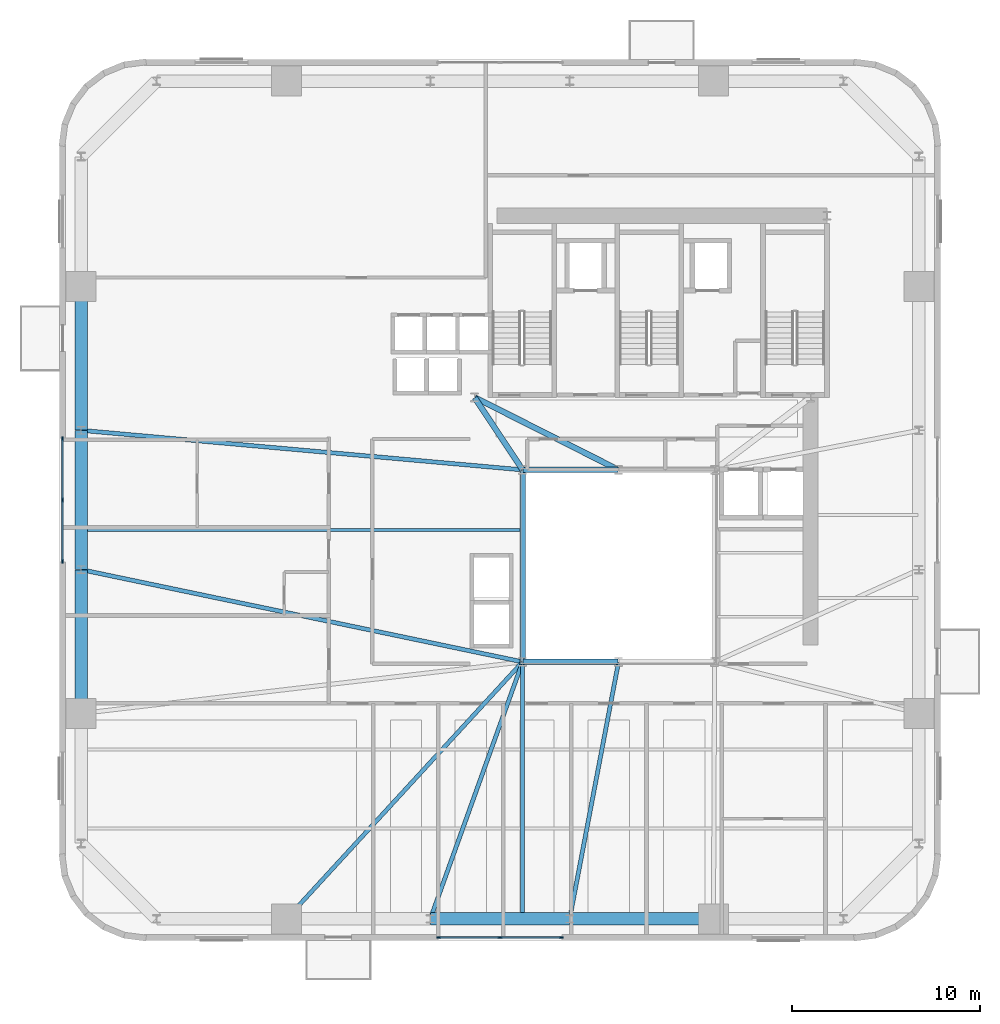
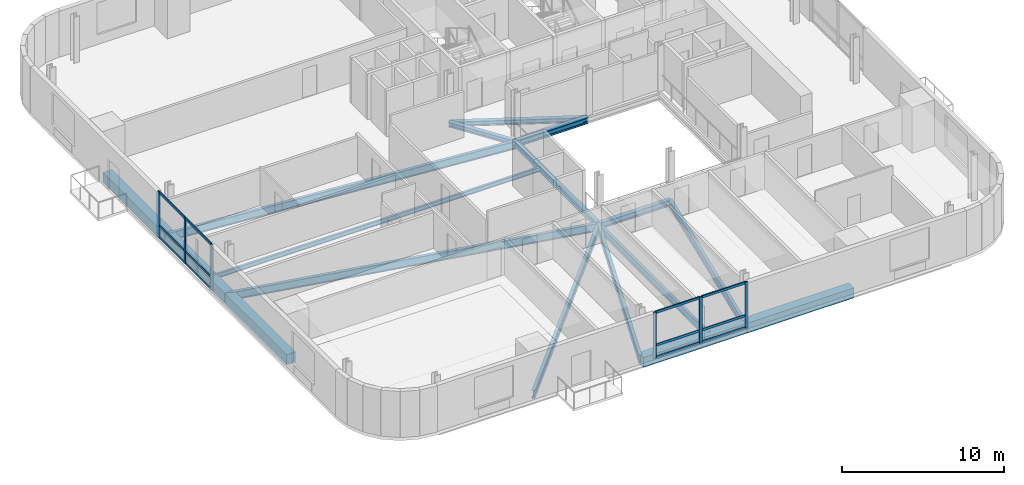
# One storey, part 2 of 14: 18 members, 17 beams, 2 elements without a shape of their own.
"""IFC4 building model written with IfcOpenShell, lengths in metres."""

from ifc_helpers import new_model, si_unit, direction, frame, origin, origin_2d, place, context, subcontext, project, spatial, rectangle, i_section, extrude, source, transform, mapped, material, material_profile, profile_set, type_object, element, aggregate, save


model = new_model("IFC4")

# Units and contexts
model_context = context("Model", 3, precision=1e-05, world=origin(), true_north=direction((0.0, 1.0)))
body_context = subcontext(model_context, "Body", "Model", "MODEL_VIEW")
ifc_project = project(units=[si_unit("LENGTHUNIT", "METRE"), si_unit("AREAUNIT", "SQUARE_METRE"), si_unit("VOLUMEUNIT", "CUBIC_METRE"), si_unit("PLANEANGLEUNIT", "RADIAN"), si_unit("MASSUNIT", "GRAM", prefix="KILO")], contexts=[model_context])

# Site, building, storey
site_placement = place(None, origin())
site = spatial("IfcSite", under=ifc_project, at=site_placement, CompositionType="ELEMENT")
building_placement = place(site_placement, origin())
building = spatial("IfcBuilding", under=site, at=building_placement, Name="Vardaveli Station Tower", CompositionType="ELEMENT")
storey_placement = place(building_placement, frame((0.0, 0.0, 140.89990234375)))
storey = spatial("IfcBuildingStorey", under=building, at=storey_placement, Name="L36", CompositionType="ELEMENT", Elevation=140.89990234375)

# Beams
ifc_material_1 = material(Name="Structural steel S355J2", Category="steel")
ifc_material_profile_1 = material_profile(ifc_material_1, i_section(OverallWidth=0.300048828125, OverallDepth=0.449951171875, WebThickness=0.013916015625, FlangeThickness=0.02587890625, FilletRadius=0.027099609375, at=origin_2d()), Name="HEB 450")
ifc_profile_set_1 = profile_set([ifc_material_profile_1], Name="Structural steel S355J2")
beam_type_1 = type_object("IfcBeamType", Name="BM-HEB450", PredefinedType="BEAM", material=ifc_profile_set_1)
shared_shape_1 = source(origin(), body_context, "Body", "SweptSolid", [
    extrude(i_section(OverallWidth=0.300048828125, OverallDepth=0.449951171875, WebThickness=0.013916015625, FlangeThickness=0.02587890625, FilletRadius=0.027099609375, at=origin_2d()), origin(), (0.0, 0.0, 1.0), 5.06005859375),
])
for number, where, z_axis, x_axis, name in (
    (1, (31.219970703125, 16.60009765625, -0.46484375), (1.0, 0.0, 0.0), (0.0, 1.0, 0.0), "ABM-L36-01"),
    (2, (36.280029296875, 26.800048828125, -0.46484375), (-1.0, 0.0, 0.0), (0.0, -1.0, 0.0), "ABM-L36-05"),
):
    element("IfcBeam", number, at=place(storey_placement, frame(where, z_axis=z_axis, x_axis=x_axis)), inside=storey, type_object=beam_type_1, Name=name, PredefinedType="BEAM", context=body_context, shape_type="MappedRepresentation", body=[
        mapped(shared_shape_1, transform((0.0, 0.0, 0.0), scale=1.0)),
    ])
shared_shape_2 = source(origin(), body_context, "Body", "SweptSolid", [
    extrude(i_section(OverallWidth=0.300048828125, OverallDepth=0.449951171875, WebThickness=0.013916015625, FlangeThickness=0.02587890625, FilletRadius=0.027099609375, at=origin_2d()), origin(), (0.0, 0.0, 1.0), 10.159912109375),
])
beam_1_placement = place(storey_placement, frame((31.199951171875, 26.780029296875, -0.46484375), z_axis=(0.0, -1.0, 0.0), x_axis=(1.0, 0.0, 0.0)))
element("IfcBeam", 3, at=beam_1_placement, inside=storey, type_object=beam_type_1, Name="ABM-L36-06", PredefinedType="BEAM", context=body_context, shape_type="MappedRepresentation", body=[
    mapped(shared_shape_2, transform((0.0, 0.0, 0.0), scale=1.0)),
])
ifc_material_profile_2 = material_profile(ifc_material_1, i_section(OverallWidth=0.300048828125, OverallDepth=0.360107421875, WebThickness=0.012451171875, FlangeThickness=0.0224609375, FilletRadius=0.027099609375, at=origin_2d()), Name="HEB 360")
ifc_profile_set_2 = profile_set([ifc_material_profile_2], Name="Structural steel S355J2")
beam_type_2 = type_object("IfcBeamType", Name="BM-HEB360", PredefinedType="BEAM", material=ifc_profile_set_2)
shared_shape_3 = source(origin(), body_context, "Body", "SweptSolid", [
    extrude(i_section(OverallWidth=0.300048828125, OverallDepth=0.360107421875, WebThickness=0.012451171875, FlangeThickness=0.0224609375, FilletRadius=0.027099609375, at=origin_2d()), origin(), (0.0, 0.0, 1.0), 4.577880859375),
])
beam_2_placement = place(storey_placement, frame((31.18896484375, 26.816650390625, -0.419921875), z_axis=(-0.55218702139, 0.833720272879, 0.0), x_axis=(-0.833720272879, -0.55218702139, 0.0)))
element("IfcBeam", 4, at=beam_2_placement, inside=storey, type_object=beam_type_2, Name="CBM-L36-01", PredefinedType="BEAM", context=body_context, shape_type="MappedRepresentation", body=[
    mapped(shared_shape_3, transform((0.0, 0.0, 0.0), scale=1.0)),
])
shared_shape_4 = source(origin(), body_context, "Body", "SweptSolid", [
    extrude(i_section(OverallWidth=0.300048828125, OverallDepth=0.360107421875, WebThickness=0.012451171875, FlangeThickness=0.0224609375, FilletRadius=0.027099609375, at=origin_2d()), origin(), (0.0, 0.0, 1.0), 8.524169921875),
])
beam_3_placement = place(storey_placement, frame((28.66796875, 30.64111328125, -0.419921875), z_axis=(0.893255584708, -0.449549174605, 0.0), x_axis=(0.449549174605, 0.893255584708, 0.0)))
element("IfcBeam", 5, at=beam_3_placement, inside=storey, type_object=beam_type_2, Name="CBM-L36-03", PredefinedType="BEAM", context=body_context, shape_type="MappedRepresentation", body=[
    mapped(shared_shape_4, transform((0.0, 0.0, 0.0), scale=1.0)),
])
ifc_material_2 = material(Name="Precast concrete C45/55", Category="concrete")
ifc_material_profile_3 = material_profile(ifc_material_2, rectangle(XDim=0.64990234375, YDim=0.75, at=origin_2d()), Name="LPB 650x750")
ifc_profile_set_3 = profile_set([ifc_material_profile_3], Name="Precast concrete C45/55")
beam_type_3 = type_object("IfcBeamType", Name="BM-LPB-750", PredefinedType="BEAM", material=ifc_profile_set_3)
shared_shape_5 = source(origin(), body_context, "Body", "SweptSolid", [
    extrude(rectangle(XDim=0.64990234375, YDim=0.75, at=origin_2d()), origin(), (0.0, 0.0, 1.0), 7.60009765625),
])
for number, where, z_axis, x_axis, name in (
    (6, (33.719970703125, 2.949951171875, -0.614990234375), (1.0, 0.0, 0.0), (0.0, 1.0, 0.0), "RBM-L36-03"),
    (7, (7.75, 36.52001953125, -0.614990234375), (0.0, -1.0, 0.0), (1.0, 0.0, 0.0), "RBM-L36-19"),
    (8, (7.75, 21.47998046875, -0.614990234375), (0.0, -1.0, 0.0), (1.0, 0.0, 0.0), "RBM-L36-21"),
):
    element("IfcBeam", number, at=place(storey_placement, frame(where, z_axis=z_axis, x_axis=x_axis)), inside=storey, type_object=beam_type_3, Name=name, PredefinedType="BEAM", context=body_context, shape_type="MappedRepresentation", body=[
        mapped(shared_shape_5, transform((0.0, 0.0, 0.0), scale=1.0)),
    ])
shared_shape_6 = source(origin(), body_context, "Body", "SweptSolid", [
    extrude(rectangle(XDim=0.64990234375, YDim=0.75, at=origin_2d()), origin(), (0.0, 0.0, 1.0), 7.35986328125),
])
for number, where, z_axis, x_axis, name in (
    (9, (26.320068359375, 2.949951171875, -0.614990234375), (1.0, 0.0, 0.0), (0.0, 1.0, 0.0), "RBM-L36-02"),
    (10, (7.75, 28.8798828125, -0.614990234375), (0.0, -1.0, 0.0), (1.0, 0.0, 0.0), "RBM-L36-20"),
):
    element("IfcBeam", number, at=place(storey_placement, frame(where, z_axis=z_axis, x_axis=x_axis)), inside=storey, type_object=beam_type_3, Name=name, PredefinedType="BEAM", context=body_context, shape_type="MappedRepresentation", body=[
        mapped(shared_shape_6, transform((0.0, 0.0, 0.0), scale=1.0)),
    ])
ifc_material_profile_4 = material_profile(ifc_material_1, i_section(OverallWidth=0.2099609375, OverallDepth=0.550048828125, WebThickness=0.010986328125, FlangeThickness=0.01708984375, FilletRadius=0.02392578125, at=origin_2d()), Name="IPE 550")
ifc_profile_set_4 = profile_set([ifc_material_profile_4], Name="Structural steel S355J2")
beam_type_4 = type_object("IfcBeamType", Name="BM-IPE550", PredefinedType="BEAM", material=ifc_profile_set_4)
shared_shape_7 = source(origin(), body_context, "Body", "SweptSolid", [
    extrude(i_section(OverallWidth=0.2099609375, OverallDepth=0.550048828125, WebThickness=0.010986328125, FlangeThickness=0.01708984375, FilletRadius=0.02392578125, at=origin_2d()), origin(), (0.0, 0.0, 1.0), 13.469970703125),
])
beam_4_placement = place(storey_placement, frame((31.199951171875, 2.989990234375, -0.514892578125), z_axis=(0.0, 1.0, 0.0), x_axis=(-1.0, 0.0, 0.0)))
element("IfcBeam", 11, at=beam_4_placement, inside=storey, type_object=beam_type_4, Name="NSM-L36-S1", PredefinedType="BEAM", context=body_context, shape_type="MappedRepresentation", body=[
    mapped(shared_shape_7, transform((0.0, 0.0, 0.0), scale=1.0)),
])
ifc_material_profile_5 = material_profile(ifc_material_1, i_section(OverallWidth=0.159912109375, OverallDepth=0.330078125, WebThickness=0.007568359375, FlangeThickness=0.011474609375, FilletRadius=0.01806640625, at=origin_2d()), Name="IPE 330")
ifc_profile_set_5 = profile_set([ifc_material_profile_5], Name="Structural steel S355J2")
beam_type_5 = type_object("IfcBeamType", Name="BM-IPE330", PredefinedType="JOIST", material=ifc_profile_set_5)
shared_shape_8 = source(origin(), body_context, "Body", "SweptSolid", [
    extrude(i_section(OverallWidth=0.159912109375, OverallDepth=0.330078125, WebThickness=0.007568359375, FlangeThickness=0.011474609375, FilletRadius=0.01806640625, at=origin_2d()), origin(), (0.0, 0.0, 1.0), 23.2978515625),
])
beam_5_placement = place(storey_placement, frame((7.7900390625, 23.60009765625, -0.40478515625), z_axis=(1.0, 0.0, 0.0), x_axis=(0.0, 1.0, 0.0)))
element("IfcBeam", 12, at=beam_5_placement, inside=storey, type_object=beam_type_5, Name="SJ-L36-W06", PredefinedType="JOIST", context=body_context, shape_type="MappedRepresentation", body=[
    mapped(shared_shape_8, transform((0.0, 0.0, 0.0), scale=1.0)),
])
ifc_material_profile_6 = material_profile(ifc_material_1, i_section(OverallWidth=0.219970703125, OverallDepth=0.60009765625, WebThickness=0.011962890625, FlangeThickness=0.01904296875, FilletRadius=0.02392578125, at=origin_2d()), Name="IPE 600")
ifc_profile_set_6 = profile_set([ifc_material_profile_6], Name="Structural steel S355J2")
beam_type_6 = type_object("IfcBeamType", Name="BM-IPE600", PredefinedType="BEAM", material=ifc_profile_set_6)
shared_shape_9 = source(origin(), body_context, "Body", "SweptSolid", [
    extrude(i_section(OverallWidth=0.219970703125, OverallDepth=0.60009765625, WebThickness=0.011962890625, FlangeThickness=0.01904296875, FilletRadius=0.02392578125, at=origin_2d()), origin(), (0.0, 0.0, 1.0), 18.49560546875),
])
beam_6_placement = place(storey_placement, frame((18.673583984375, 2.96484375, -0.539794921875), z_axis=(0.676535341891, 0.736410165039, 0.0), x_axis=(-0.736410165039, 0.676535341891, 0.0)))
element("IfcBeam", 13, at=beam_6_placement, inside=storey, type_object=beam_type_6, Name="GBM-L36-01", PredefinedType="BEAM", context=body_context, shape_type="MappedRepresentation", body=[
    mapped(shared_shape_9, transform((0.0, 0.0, 0.0), scale=1.0)),
])
shared_shape_10 = source(origin(), body_context, "Body", "SweptSolid", [
    extrude(i_section(OverallWidth=0.219970703125, OverallDepth=0.60009765625, WebThickness=0.011962890625, FlangeThickness=0.01904296875, FilletRadius=0.02392578125, at=origin_2d()), origin(), (0.0, 0.0, 1.0), 14.462890625),
])
beam_7_placement = place(storey_placement, frame((26.306640625, 2.96875, -0.539794921875), z_axis=(0.337880090533, 0.941189165057, 0.0), x_axis=(-0.941189165057, 0.337880090533, 0.0)))
element("IfcBeam", 14, at=beam_7_placement, inside=storey, type_object=beam_type_6, Name="GBM-L36-02", PredefinedType="BEAM", context=body_context, shape_type="MappedRepresentation", body=[
    mapped(shared_shape_10, transform((0.0, 0.0, 0.0), scale=1.0)),
])
shared_shape_11 = source(origin(), body_context, "Body", "SweptSolid", [
    extrude(i_section(OverallWidth=0.219970703125, OverallDepth=0.60009765625, WebThickness=0.011962890625, FlangeThickness=0.01904296875, FilletRadius=0.02392578125, at=origin_2d()), origin(), (0.0, 0.0, 1.0), 13.855224609375),
])
beam_8_placement = place(storey_placement, frame((33.703857421875, 2.9697265625, -0.539794921875), z_axis=(0.187097533125, 0.982341342456, 0.0), x_axis=(-0.982341342456, 0.187097533125, 0.0)))
element("IfcBeam", 15, at=beam_8_placement, inside=storey, type_object=beam_type_6, Name="GBM-L36-03", PredefinedType="BEAM", context=body_context, shape_type="MappedRepresentation", body=[
    mapped(shared_shape_11, transform((0.0, 0.0, 0.0), scale=1.0)),
])
shared_shape_12 = source(origin(), body_context, "Body", "SweptSolid", [
    extrude(i_section(OverallWidth=0.219970703125, OverallDepth=0.60009765625, WebThickness=0.011962890625, FlangeThickness=0.01904296875, FilletRadius=0.02392578125, at=origin_2d()), origin(), (0.0, 0.0, 1.0), 23.50390625),
])
beam_9_placement = place(storey_placement, frame((7.77001953125, 28.898193359375, -0.539794921875), z_axis=(0.996014142198, -0.08919545135, 0.0), x_axis=(0.08919545135, 0.996014142198, 0.0)))
element("IfcBeam", 16, at=beam_9_placement, inside=storey, type_object=beam_type_6, Name="GBM-L36-08", PredefinedType="BEAM", context=body_context, shape_type="MappedRepresentation", body=[
    mapped(shared_shape_12, transform((0.0, 0.0, 0.0), scale=1.0)),
])
shared_shape_13 = source(origin(), body_context, "Body", "SweptSolid", [
    extrude(i_section(OverallWidth=0.219970703125, OverallDepth=0.60009765625, WebThickness=0.011962890625, FlangeThickness=0.01904296875, FilletRadius=0.02392578125, at=origin_2d()), origin(), (0.0, 0.0, 1.0), 23.91650390625),
])
beam_10_placement = place(storey_placement, frame((7.76953125, 21.495849609375, -0.539794921875), z_axis=(0.978858547354, -0.204538368703, 0.0), x_axis=(0.204538368703, 0.978858547354, 0.0)))
element("IfcBeam", 17, at=beam_10_placement, inside=storey, type_object=beam_type_6, Name="GBM-L36-09", PredefinedType="BEAM", context=body_context, shape_type="MappedRepresentation", body=[
    mapped(shared_shape_13, transform((0.0, 0.0, 0.0), scale=1.0)),
])

# Curtain wall, members
ifc_material_3 = material(Name="Travertine stone and solar-control glass", Category="masonry")
curtain_wall_type = type_object("IfcCurtainWallType", Name="CW-SYS-2", PredefinedType="NOTDEFINED", material=ifc_material_3)
curtain_wall_1_placement = place(storey_placement, origin())
curtain_wall_1 = element("IfcCurtainWall", 18, at=curtain_wall_1_placement, inside=storey, type_object=curtain_wall_type, Name="CW-L36-S", PredefinedType="NOTDEFINED")
ifc_material_4 = material(Name="Anodised aluminium alloy 6063-T6", Category="aluminium")
ifc_material_profile_7 = material_profile(ifc_material_4, rectangle(XDim=0.0849609375, YDim=0.179931640625, at=origin_2d()), Name="CWT 85x180")
ifc_profile_set_7 = profile_set([ifc_material_profile_7], Name="Anodised aluminium alloy 6063-T6")
member_type_1 = type_object("IfcMemberType", Name="CW-SYS-2-TRAN", PredefinedType="NOTDEFINED", material=ifc_profile_set_7)
shared_shape_14 = source(origin(), body_context, "Body", "SweptSolid", [
    extrude(rectangle(XDim=0.0849609375, YDim=0.179931640625, at=origin_2d()), origin(), (0.0, 0.0, 1.0), 3.172607421875),
])
member_1_placement = place(storey_placement, frame((26.784912109375, 1.9599609375, 0.04248046875), z_axis=(1.0, 0.0, 0.0), x_axis=(0.0, 1.0, 0.0)))
member_1 = element("IfcMember", 19, at=member_1_placement, type_object=member_type_1, Name="CW-2 transom 1.1", ObjectType="TRANSOM", PredefinedType="USERDEFINED", context=body_context, shape_type="MappedRepresentation", body=[
    mapped(shared_shape_14, transform((0.0, 0.0, 0.0), scale=1.0)),
])
member_2_placement = place(storey_placement, frame((26.784912109375, 1.9599609375, 0.9501953125), z_axis=(1.0, 0.0, 0.0), x_axis=(0.0, 1.0, 0.0)))
member_2 = element("IfcMember", 20, at=member_2_placement, type_object=member_type_1, Name="CW-2 transom 1.2", ObjectType="TRANSOM", PredefinedType="USERDEFINED", context=body_context, shape_type="MappedRepresentation", body=[
    mapped(shared_shape_14, transform((0.0, 0.0, 0.0), scale=1.0)),
])
member_3_placement = place(storey_placement, frame((26.784912109375, 1.9599609375, 3.41748046875), z_axis=(1.0, 0.0, 0.0), x_axis=(0.0, 1.0, 0.0)))
member_3 = element("IfcMember", 21, at=member_3_placement, type_object=member_type_1, Name="CW-2 transom 1.3", ObjectType="TRANSOM", PredefinedType="USERDEFINED", context=body_context, shape_type="MappedRepresentation", body=[
    mapped(shared_shape_14, transform((0.0, 0.0, 0.0), scale=1.0)),
])
member_4_placement = place(storey_placement, frame((30.04248046875, 1.9599609375, 0.04248046875), z_axis=(1.0, 0.0, 0.0), x_axis=(0.0, 1.0, 0.0)))
member_4 = element("IfcMember", 22, at=member_4_placement, type_object=member_type_1, Name="CW-2 transom 2.1", ObjectType="TRANSOM", PredefinedType="USERDEFINED", context=body_context, shape_type="MappedRepresentation", body=[
    mapped(shared_shape_14, transform((0.0, 0.0, 0.0), scale=1.0)),
])
member_5_placement = place(storey_placement, frame((30.04248046875, 1.9599609375, 0.9501953125), z_axis=(1.0, 0.0, 0.0), x_axis=(0.0, 1.0, 0.0)))
member_5 = element("IfcMember", 23, at=member_5_placement, type_object=member_type_1, Name="CW-2 transom 2.2", ObjectType="TRANSOM", PredefinedType="USERDEFINED", context=body_context, shape_type="MappedRepresentation", body=[
    mapped(shared_shape_14, transform((0.0, 0.0, 0.0), scale=1.0)),
])
member_6_placement = place(storey_placement, frame((30.04248046875, 1.9599609375, 3.41748046875), z_axis=(1.0, 0.0, 0.0), x_axis=(0.0, 1.0, 0.0)))
member_6 = element("IfcMember", 24, at=member_6_placement, type_object=member_type_1, Name="CW-2 transom 2.3", ObjectType="TRANSOM", PredefinedType="USERDEFINED", context=body_context, shape_type="MappedRepresentation", body=[
    mapped(shared_shape_14, transform((0.0, 0.0, 0.0), scale=1.0)),
])

curtain_wall_2_placement = place(storey_placement, origin())
curtain_wall_2 = element("IfcCurtainWall", 25, at=curtain_wall_2_placement, inside=storey, type_object=curtain_wall_type, Name="CW-L36-W", PredefinedType="NOTDEFINED")
member_7_placement = place(storey_placement, frame((6.760009765625, 28.4150390625, 0.04248046875), z_axis=(0.0, -1.0, 0.0), x_axis=(1.0, 0.0, 0.0)))
member_7 = element("IfcMember", 26, at=member_7_placement, type_object=member_type_1, Name="CW-2 transom 1.1", ObjectType="TRANSOM", PredefinedType="USERDEFINED", context=body_context, shape_type="MappedRepresentation", body=[
    mapped(shared_shape_14, transform((0.0, 0.0, 0.0), scale=1.0)),
])
member_8_placement = place(storey_placement, frame((6.760009765625, 28.4150390625, 0.9501953125), z_axis=(0.0, -1.0, 0.0), x_axis=(1.0, 0.0, 0.0)))
member_8 = element("IfcMember", 27, at=member_8_placement, type_object=member_type_1, Name="CW-2 transom 1.2", ObjectType="TRANSOM", PredefinedType="USERDEFINED", context=body_context, shape_type="MappedRepresentation", body=[
    mapped(shared_shape_14, transform((0.0, 0.0, 0.0), scale=1.0)),
])
member_9_placement = place(storey_placement, frame((6.760009765625, 28.4150390625, 3.41748046875), z_axis=(0.0, -1.0, 0.0), x_axis=(1.0, 0.0, 0.0)))
member_9 = element("IfcMember", 28, at=member_9_placement, type_object=member_type_1, Name="CW-2 transom 1.3", ObjectType="TRANSOM", PredefinedType="USERDEFINED", context=body_context, shape_type="MappedRepresentation", body=[
    mapped(shared_shape_14, transform((0.0, 0.0, 0.0), scale=1.0)),
])
shared_shape_15 = source(origin(), body_context, "Body", "SweptSolid", [
    extrude(rectangle(XDim=0.0849609375, YDim=0.179931640625, at=origin_2d()), origin(), (0.0, 0.0, 1.0), 3.17236328125),
])
member_10_placement = place(storey_placement, frame((6.760009765625, 25.157470703125, 0.04248046875), z_axis=(0.0, -1.0, 0.0), x_axis=(1.0, 0.0, 0.0)))
member_10 = element("IfcMember", 29, at=member_10_placement, type_object=member_type_1, Name="CW-2 transom 2.1", ObjectType="TRANSOM", PredefinedType="USERDEFINED", context=body_context, shape_type="MappedRepresentation", body=[
    mapped(shared_shape_15, transform((0.0, 0.0, 0.0), scale=1.0)),
])
member_11_placement = place(storey_placement, frame((6.760009765625, 25.157470703125, 0.9501953125), z_axis=(0.0, -1.0, 0.0), x_axis=(1.0, 0.0, 0.0)))
member_11 = element("IfcMember", 30, at=member_11_placement, type_object=member_type_1, Name="CW-2 transom 2.2", ObjectType="TRANSOM", PredefinedType="USERDEFINED", context=body_context, shape_type="MappedRepresentation", body=[
    mapped(shared_shape_15, transform((0.0, 0.0, 0.0), scale=1.0)),
])
member_12_placement = place(storey_placement, frame((6.760009765625, 25.157470703125, 3.41748046875), z_axis=(0.0, -1.0, 0.0), x_axis=(1.0, 0.0, 0.0)))
member_12 = element("IfcMember", 31, at=member_12_placement, type_object=member_type_1, Name="CW-2 transom 2.3", ObjectType="TRANSOM", PredefinedType="USERDEFINED", context=body_context, shape_type="MappedRepresentation", body=[
    mapped(shared_shape_15, transform((0.0, 0.0, 0.0), scale=1.0)),
])

# Member
ifc_material_profile_8 = material_profile(ifc_material_4, rectangle(XDim=0.0849609375, YDim=0.219970703125, at=origin_2d()), Name="CWM 85x220")
ifc_profile_set_8 = profile_set([ifc_material_profile_8], Name="Anodised aluminium alloy 6063-T6")
member_type_2 = type_object("IfcMemberType", Name="CW-SYS-2-MULL", PredefinedType="MULLION", material=ifc_profile_set_8)
shared_shape_16 = source(origin(), body_context, "Body", "SweptSolid", [
    extrude(rectangle(XDim=0.0849609375, YDim=0.219970703125, at=origin_2d()), origin(), (0.0, 0.0, 1.0), 3.460205078125),
])
member_13_placement = place(storey_placement, frame((26.742431640625, 1.9599609375, 0.0), z_axis=(0.0, 0.0, 1.0), x_axis=(0.0, 1.0, 0.0)))
member_13 = element("IfcMember", 32, at=member_13_placement, type_object=member_type_2, Name="CW-2 mullion 1", PredefinedType="MULLION", context=body_context, shape_type="MappedRepresentation", body=[
    mapped(shared_shape_16, transform((0.0, 0.0, 0.0), scale=1.0)),
])

member_14_placement = place(storey_placement, frame((30.0, 1.9599609375, 0.0), z_axis=(0.0, 0.0, 1.0), x_axis=(0.0, 1.0, 0.0)))
member_14 = element("IfcMember", 33, at=member_14_placement, type_object=member_type_2, Name="CW-2 mullion 2", PredefinedType="MULLION", context=body_context, shape_type="MappedRepresentation", body=[
    mapped(shared_shape_16, transform((0.0, 0.0, 0.0), scale=1.0)),
])

member_15_placement = place(storey_placement, frame((33.257568359375, 1.9599609375, 0.0), z_axis=(0.0, 0.0, 1.0), x_axis=(0.0, 1.0, 0.0)))
member_15 = element("IfcMember", 34, at=member_15_placement, type_object=member_type_2, Name="CW-2 mullion 3", PredefinedType="MULLION", context=body_context, shape_type="MappedRepresentation", body=[
    mapped(shared_shape_16, transform((0.0, 0.0, 0.0), scale=1.0)),
])

aggregate(curtain_wall_1, [member_13, member_14, member_15, member_1, member_2, member_3, member_4, member_5, member_6])

member_16_placement = place(storey_placement, frame((6.760009765625, 28.45751953125, 0.0), z_axis=(0.0, 0.0, 1.0), x_axis=(1.0, 0.0, 0.0)))
member_16 = element("IfcMember", 35, at=member_16_placement, type_object=member_type_2, Name="CW-2 mullion 1", PredefinedType="MULLION", context=body_context, shape_type="MappedRepresentation", body=[
    mapped(shared_shape_16, transform((0.0, 0.0, 0.0), scale=1.0)),
])

member_17_placement = place(storey_placement, frame((6.760009765625, 25.199951171875, 0.0), z_axis=(0.0, 0.0, 1.0), x_axis=(1.0, 0.0, 0.0)))
member_17 = element("IfcMember", 36, at=member_17_placement, type_object=member_type_2, Name="CW-2 mullion 2", PredefinedType="MULLION", context=body_context, shape_type="MappedRepresentation", body=[
    mapped(shared_shape_16, transform((0.0, 0.0, 0.0), scale=1.0)),
])

member_18_placement = place(storey_placement, frame((6.760009765625, 21.9423828125, 0.0), z_axis=(0.0, 0.0, 1.0), x_axis=(1.0, 0.0, 0.0)))
member_18 = element("IfcMember", 37, at=member_18_placement, type_object=member_type_2, Name="CW-2 mullion 3", PredefinedType="MULLION", context=body_context, shape_type="MappedRepresentation", body=[
    mapped(shared_shape_16, transform((0.0, 0.0, 0.0), scale=1.0)),
])

aggregate(curtain_wall_2, [member_16, member_17, member_18, member_7, member_8, member_9, member_10, member_11, member_12])

save(model, "model.ifc")
